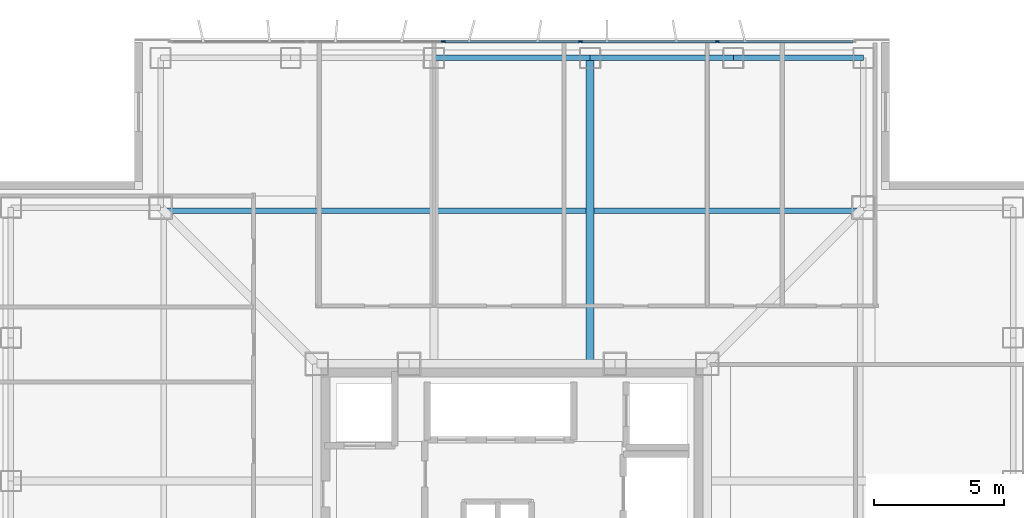
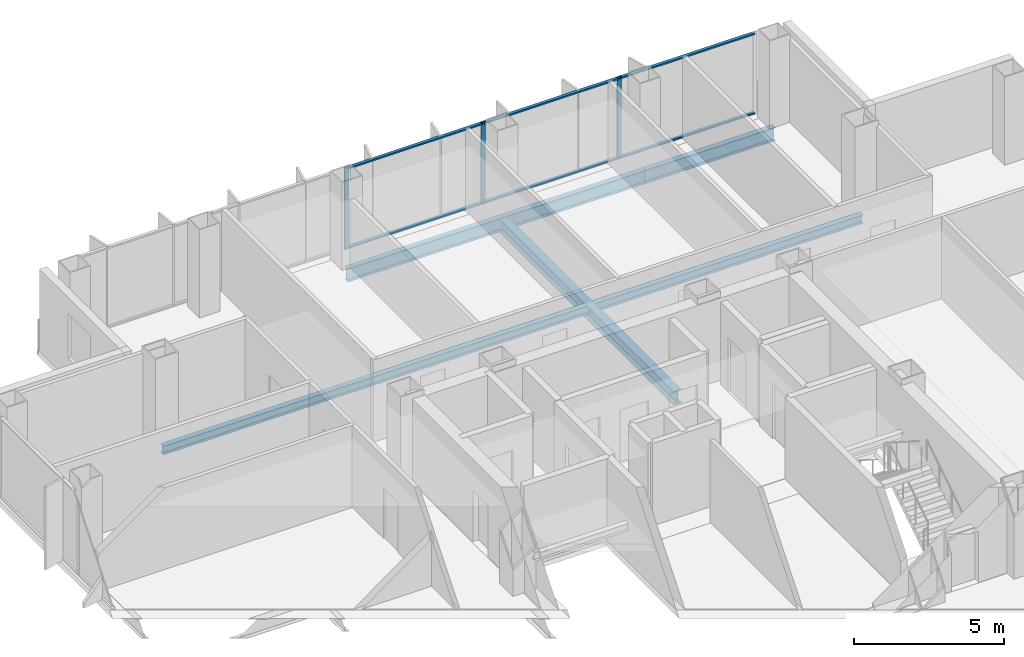
# One storey, part 8 of 18: 9 members, 5 beams, 1 element without a shape of its own.
"""IFC4 building model written with IfcOpenShell, lengths in metres."""

from ifc_helpers import new_model, si_unit, direction, frame, origin, origin_2d, place, context, subcontext, project, spatial, rectangle, i_section, extrude, material, layer, layer_set, material_profile, profile_set, type_object, element, aggregate, save


model = new_model("IFC4")

# Units and contexts
model_context = context("Model", 3, precision=1e-05, world=origin(), true_north=direction((0.0, 1.0)))
body_context = subcontext(model_context, "Body", "Model", "MODEL_VIEW")
ifc_project = project(units=[si_unit("LENGTHUNIT", "METRE"), si_unit("AREAUNIT", "SQUARE_METRE"), si_unit("VOLUMEUNIT", "CUBIC_METRE"), si_unit("PLANEANGLEUNIT", "RADIAN"), si_unit("MASSUNIT", "GRAM", prefix="KILO")], contexts=[model_context])

# Site, building, storey
site_placement = place(None, origin())
site = spatial("IfcSite", under=ifc_project, at=site_placement, CompositionType="ELEMENT")
building_placement = place(site_placement, origin())
building = spatial("IfcBuilding", under=site, at=building_placement, Name="Trevonay Congress Spire", CompositionType="ELEMENT")
storey_placement = place(building_placement, frame((0.0, 0.0, 173.39990234375)))
storey = spatial("IfcBuildingStorey", under=building, at=storey_placement, Name="L44", CompositionType="ELEMENT", Elevation=173.39990234375)

# Beams
ifc_material_1 = material(Name="Steel ASTM A572 Grade 50", Category="steel")
ifc_material_profile_1 = material_profile(ifc_material_1, i_section(OverallWidth=0.31201171875, OverallDepth=0.54296875, WebThickness=0.0126953125, FlangeThickness=0.020263671875, FilletRadius=0.014892578125, at=origin_2d()), Name="W530x150")
ifc_profile_set_1 = profile_set([ifc_material_profile_1], Name="Steel ASTM A572 Grade 50")
beam_type_1 = type_object("IfcBeamType", Name="BM-GIRD-W530X150", PredefinedType="BEAM", material=ifc_profile_set_1)
beam_1_placement = place(storey_placement, frame((3.0, 7.5, -0.511474609375), z_axis=(0.0, 1.0, 0.0), x_axis=(-1.0, 0.0, 0.0)))
element("IfcBeam", 1, at=beam_1_placement, inside=storey, type_object=beam_type_1, Name="L44 structural beam BM-L44-GN-P", PredefinedType="BEAM", context=body_context, shape_type="SweptSolid", body=[
    extrude(i_section(OverallWidth=0.31201171875, OverallDepth=0.54296875, WebThickness=0.0126953125, FlangeThickness=0.020263671875, FilletRadius=0.014892578125, at=origin_2d()), origin(), (0.0, 0.0, 1.0), 11.75),
])
ifc_material_profile_2 = material_profile(ifc_material_1, i_section(OverallWidth=0.2119140625, OverallDepth=0.5439453125, WebThickness=0.01318359375, FlangeThickness=0.021240234375, FilletRadius=0.014892578125, at=origin_2d()), Name="W530x123")
ifc_profile_set_2 = profile_set([ifc_material_profile_2], Name="Steel ASTM A572 Grade 50")
beam_type_2 = type_object("IfcBeamType", Name="BM-RING-W530X123", PredefinedType="BEAM", material=ifc_profile_set_2)
beam_2_placement = place(storey_placement, frame((-3.0, 19.25, -0.511962890625), z_axis=(1.0, 0.0, 0.0), x_axis=(0.0, 1.0, 0.0)))
element("IfcBeam", 2, at=beam_2_placement, inside=storey, type_object=beam_type_2, Name="L44 structural beam BM-L44-PN3", PredefinedType="BEAM", context=body_context, shape_type="SweptSolid", body=[
    extrude(i_section(OverallWidth=0.2119140625, OverallDepth=0.5439453125, WebThickness=0.01318359375, FlangeThickness=0.021240234375, FilletRadius=0.014892578125, at=origin_2d()), origin(), (0.0, 0.0, 1.0), 6.0),
])
beam_3_placement = place(storey_placement, frame((3.0, 19.25, -0.511962890625), z_axis=(1.0, 0.0, 0.0), x_axis=(0.0, 1.0, 0.0)))
element("IfcBeam", 3, at=beam_3_placement, inside=storey, type_object=beam_type_2, Name="L44 structural beam BM-L44-PN4", PredefinedType="BEAM", context=body_context, shape_type="SweptSolid", body=[
    extrude(i_section(OverallWidth=0.2119140625, OverallDepth=0.5439453125, WebThickness=0.01318359375, FlangeThickness=0.021240234375, FilletRadius=0.014892578125, at=origin_2d()), origin(), (0.0, 0.0, 1.0), 5.5),
])
beam_4_placement = place(storey_placement, frame((8.5, 19.25, -0.511962890625), z_axis=(1.0, 0.0, 0.0), x_axis=(0.0, 1.0, 0.0)))
element("IfcBeam", 4, at=beam_4_placement, inside=storey, type_object=beam_type_2, Name="L44 structural beam BM-L44-PN5", PredefinedType="BEAM", context=body_context, shape_type="SweptSolid", body=[
    extrude(i_section(OverallWidth=0.2119140625, OverallDepth=0.5439453125, WebThickness=0.01318359375, FlangeThickness=0.021240234375, FilletRadius=0.014892578125, at=origin_2d()), origin(), (0.0, 0.0, 1.0), 5.0),
])

# Curtain wall, members
ifc_material_2 = material(Name="Pale Anodised Aluminium EN AW-6063-T6", Category="aluminium")
ifc_layer = layer(ifc_material_2, 0.169921875, Name="Pale Anodised Aluminium EN AW-6063-T6")
ifc_layer_set = layer_set([ifc_layer], Name="Pale Anodised Aluminium EN AW-6063-T6")
curtain_wall_type = type_object("IfcCurtainWallType", Name="CW-SYS04-CORP-PALE-METAL", PredefinedType="NOTDEFINED", material=ifc_layer_set)
curtain_wall_placement = place(storey_placement, origin())
curtain_wall = element("IfcCurtainWall", 5, at=curtain_wall_placement, inside=storey, type_object=curtain_wall_type, Name="L44 N unitised curtain wall", PredefinedType="NOTDEFINED")
ifc_material_profile_3 = material_profile(ifc_material_2, rectangle(XDim=0.06005859375, YDim=0.159912109375, at=origin_2d()), Name="CW-MULLION-160-ALUMINIUM")
ifc_profile_set_3 = profile_set([ifc_material_profile_3], Name="Pale Anodised Aluminium EN AW-6063-T6")
member_type_1 = type_object("IfcMemberType", Name="CW-MULLION-160-ALUMINIUM", PredefinedType="MULLION", material=ifc_profile_set_3)
member_1_placement = place(storey_placement, frame((-2.6298828125, 19.8798828125, 0.0), z_axis=(0.0, 0.0, 1.0), x_axis=(0.0, 1.0, 0.0)))
member_1 = element("IfcMember", 6, at=member_1_placement, type_object=member_type_1, Name="CW04 mullion 3", PredefinedType="MULLION", context=body_context, shape_type="SweptSolid", body=[
    extrude(rectangle(XDim=0.06005859375, YDim=0.159912109375, at=origin_2d()), origin(), (0.0, 0.0, 1.0), 3.360107421875),
])
member_2_placement = place(storey_placement, frame((2.6298828125, 19.8798828125, 0.0), z_axis=(0.0, 0.0, 1.0), x_axis=(0.0, 1.0, 0.0)))
member_2 = element("IfcMember", 7, at=member_2_placement, type_object=member_type_1, Name="CW04 mullion 4", PredefinedType="MULLION", context=body_context, shape_type="SweptSolid", body=[
    extrude(rectangle(XDim=0.06005859375, YDim=0.159912109375, at=origin_2d()), origin(), (0.0, 0.0, 1.0), 3.360107421875),
])
member_3_placement = place(storey_placement, frame((7.889892578125, 19.8798828125, 0.0), z_axis=(0.0, 0.0, 1.0), x_axis=(0.0, 1.0, 0.0)))
member_3 = element("IfcMember", 8, at=member_3_placement, type_object=member_type_1, Name="CW04 mullion 5", PredefinedType="MULLION", context=body_context, shape_type="SweptSolid", body=[
    extrude(rectangle(XDim=0.06005859375, YDim=0.159912109375, at=origin_2d()), origin(), (0.0, 0.0, 1.0), 3.360107421875),
])
ifc_material_profile_4 = material_profile(ifc_material_2, rectangle(XDim=0.1201171875, YDim=0.06005859375, at=origin_2d()), Name="CW-TRANSOM-120-ALUMINIUM")
ifc_profile_set_4 = profile_set([ifc_material_profile_4], Name="Pale Anodised Aluminium EN AW-6063-T6")
member_type_2 = type_object("IfcMemberType", Name="CW-TRANSOM-120-ALUMINIUM", PredefinedType="USERDEFINED", material=ifc_profile_set_4)
member_4_placement = place(storey_placement, frame((-2.60009765625, 19.8798828125, 0.06005859375), z_axis=(1.0, 0.0, 0.0), x_axis=(0.0, 1.0, 0.0)))
member_4 = element("IfcMember", 9, at=member_4_placement, type_object=member_type_2, Name="CW04 transom 3.1", ObjectType="TRANSOM", PredefinedType="USERDEFINED", context=body_context, shape_type="SweptSolid", body=[
    extrude(rectangle(XDim=0.1201171875, YDim=0.06005859375, at=origin_2d()), origin(), (0.0, 0.0, 1.0), 5.2001953125),
])
member_5_placement = place(storey_placement, frame((-2.60009765625, 19.8798828125, 3.300048828125), z_axis=(1.0, 0.0, 0.0), x_axis=(0.0, 1.0, 0.0)))
member_5 = element("IfcMember", 10, at=member_5_placement, type_object=member_type_2, Name="CW04 transom 3.2", ObjectType="TRANSOM", PredefinedType="USERDEFINED", context=body_context, shape_type="SweptSolid", body=[
    extrude(rectangle(XDim=0.1201171875, YDim=0.06005859375, at=origin_2d()), origin(), (0.0, 0.0, 1.0), 5.2001953125),
])
member_6_placement = place(storey_placement, frame((2.659912109375, 19.8798828125, 0.06005859375), z_axis=(1.0, 0.0, 0.0), x_axis=(0.0, 1.0, 0.0)))
member_6 = element("IfcMember", 11, at=member_6_placement, type_object=member_type_2, Name="CW04 transom 4.1", ObjectType="TRANSOM", PredefinedType="USERDEFINED", context=body_context, shape_type="SweptSolid", body=[
    extrude(rectangle(XDim=0.1201171875, YDim=0.06005859375, at=origin_2d()), origin(), (0.0, 0.0, 1.0), 5.2001953125),
])
member_7_placement = place(storey_placement, frame((2.659912109375, 19.8798828125, 3.300048828125), z_axis=(1.0, 0.0, 0.0), x_axis=(0.0, 1.0, 0.0)))
member_7 = element("IfcMember", 12, at=member_7_placement, type_object=member_type_2, Name="CW04 transom 4.2", ObjectType="TRANSOM", PredefinedType="USERDEFINED", context=body_context, shape_type="SweptSolid", body=[
    extrude(rectangle(XDim=0.1201171875, YDim=0.06005859375, at=origin_2d()), origin(), (0.0, 0.0, 1.0), 5.2001953125),
])
member_8_placement = place(storey_placement, frame((7.919921875, 19.8798828125, 0.06005859375), z_axis=(1.0, 0.0, 0.0), x_axis=(0.0, 1.0, 0.0)))
member_8 = element("IfcMember", 13, at=member_8_placement, type_object=member_type_2, Name="CW04 transom 5.1", ObjectType="TRANSOM", PredefinedType="USERDEFINED", context=body_context, shape_type="SweptSolid", body=[
    extrude(rectangle(XDim=0.1201171875, YDim=0.06005859375, at=origin_2d()), origin(), (0.0, 0.0, 1.0), 5.170166015625),
])
member_9_placement = place(storey_placement, frame((7.919921875, 19.8798828125, 3.300048828125), z_axis=(1.0, 0.0, 0.0), x_axis=(0.0, 1.0, 0.0)))
member_9 = element("IfcMember", 14, at=member_9_placement, type_object=member_type_2, Name="CW04 transom 5.2", ObjectType="TRANSOM", PredefinedType="USERDEFINED", context=body_context, shape_type="SweptSolid", body=[
    extrude(rectangle(XDim=0.1201171875, YDim=0.06005859375, at=origin_2d()), origin(), (0.0, 0.0, 1.0), 5.170166015625),
])
aggregate(curtain_wall, [member_1, member_2, member_3, member_4, member_5, member_6, member_7, member_8, member_9])

# Beam
ifc_material_profile_5 = material_profile(ifc_material_1, i_section(OverallWidth=0.205078125, OverallDepth=0.35400390625, WebThickness=0.009521484375, FlangeThickness=0.016845703125, FilletRadius=0.011962890625, at=origin_2d()), Name="W360x79")
ifc_profile_set_5 = profile_set([ifc_material_profile_5], Name="Steel ASTM A572 Grade 50")
beam_type_3 = type_object("IfcBeamType", Name="JS-COMP-W360X79", PredefinedType="JOIST", material=ifc_profile_set_5)
beam_5_placement = place(storey_placement, frame((-13.5, 13.375, -0.4169921875), z_axis=(1.0, 0.0, 0.0), x_axis=(0.0, 1.0, 0.0)))
element("IfcBeam", 15, at=beam_5_placement, inside=storey, type_object=beam_type_3, Name="L44 structural beam JS-L44-RING-N", PredefinedType="JOIST", context=body_context, shape_type="SweptSolid", body=[
    extrude(i_section(OverallWidth=0.205078125, OverallDepth=0.35400390625, WebThickness=0.009521484375, FlangeThickness=0.016845703125, FilletRadius=0.011962890625, at=origin_2d()), origin(), (0.0, 0.0, 1.0), 27.0),
])

save(model, "model.ifc")
